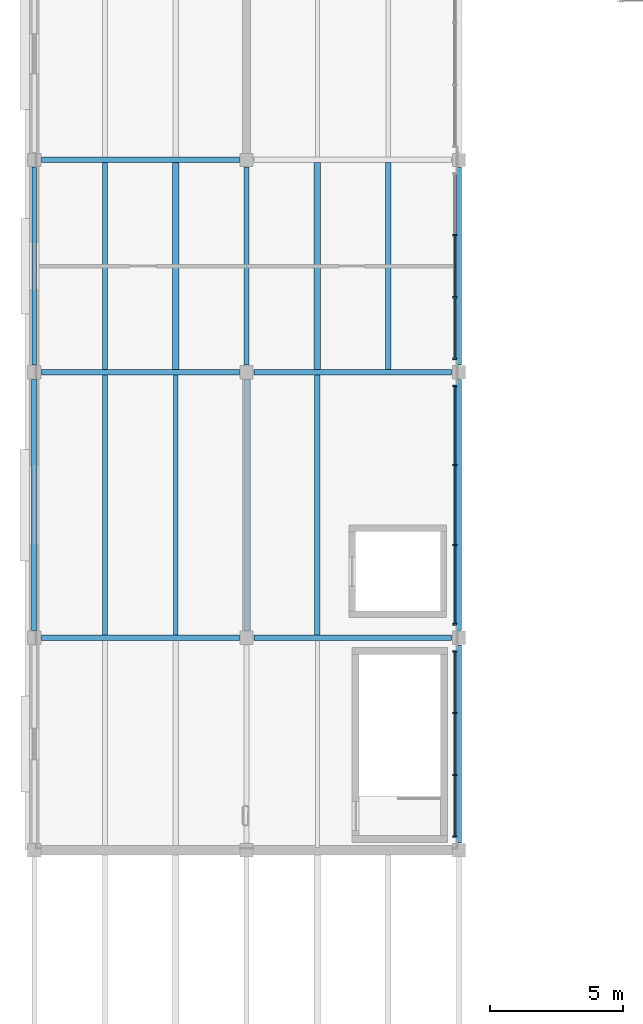
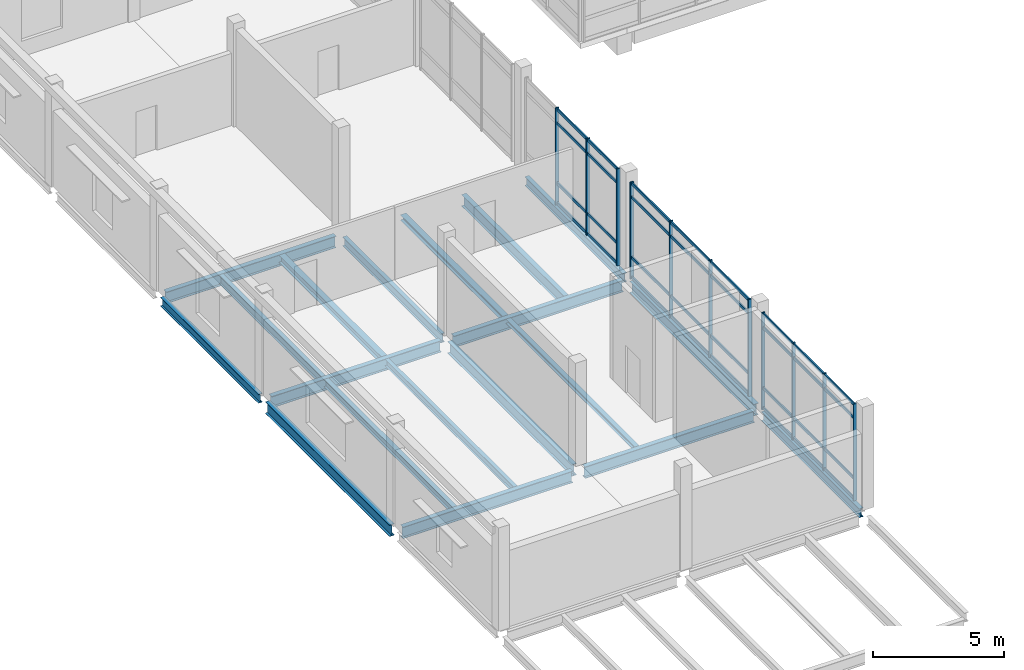
# One storey, part 2 of 28: 43 members, 19 beams, 3 elements without a shape of their own.
"""IFC4 building model written with IfcOpenShell, lengths in metres."""

from ifc_helpers import new_model, si_unit, direction, frame, origin, origin_2d, place, context, subcontext, project, spatial, rectangle, i_section, extrude, material, material_profile, profile_set, type_object, element, aggregate, save


model = new_model("IFC4")

# Units and contexts
model_context = context("Model", 3, precision=1e-05, world=origin(), true_north=direction((0.0, 1.0)))
body_context = subcontext(model_context, "Body", "Model", "MODEL_VIEW")
ifc_project = project(units=[si_unit("LENGTHUNIT", "METRE"), si_unit("AREAUNIT", "SQUARE_METRE"), si_unit("VOLUMEUNIT", "CUBIC_METRE"), si_unit("PLANEANGLEUNIT", "RADIAN"), si_unit("MASSUNIT", "GRAM", prefix="KILO")], contexts=[model_context])

# Site, building, storey
site_placement = place(None, origin())
site = spatial("IfcSite", under=ifc_project, at=site_placement, CompositionType="ELEMENT")
building_placement = place(site_placement, origin())
building = spatial("IfcBuilding", under=site, at=building_placement, Name="Pecanmere Concourse Central Library", CompositionType="ELEMENT")
storey_placement = place(building_placement, frame((0.0, 0.0, 20.10009765625)))
storey = spatial("IfcBuildingStorey", under=building, at=storey_placement, Name="L05", CompositionType="ELEMENT", Elevation=20.10009765625)

# Curtain wall, members
ifc_material_1 = material(Name="Clear anodized aluminium alloy 6063-T6", Category="aluminium")
curtain_wall_type = type_object("IfcCurtainWallType", Name="CW_CLOISTER_GLAZ", PredefinedType="USERDEFINED", material=ifc_material_1)
curtain_wall_1_placement = place(storey_placement, origin())
curtain_wall_1 = element("IfcCurtainWall", 1, at=curtain_wall_1_placement, inside=storey, type_object=curtain_wall_type, Name="Unitised Curtain Wall CW-04 L05-154", ObjectType="UNITISED CURTAIN WALL", PredefinedType="USERDEFINED")
ifc_material_2 = material(Name="Clear anodized aluminium alloy 6063-T6", Category="aluminium")
ifc_material_profile_1 = material_profile(ifc_material_2, rectangle(XDim=0.06005859375, YDim=0.14990234375, at=origin_2d()), Name="AL 60x150")
ifc_profile_set_1 = profile_set([ifc_material_profile_1], Name="Clear anodized aluminium alloy 6063-T6")
member_type_1 = type_object("IfcMemberType", Name="CWM_150x60", PredefinedType="MULLION", material=ifc_profile_set_1)
member_1_placement = place(storey_placement, frame((63.85009765625, 56.510009765625, 0.0), z_axis=(0.0, 0.0, 1.0), x_axis=(0.0, 1.0, 0.0)))
member_1 = element("IfcMember", 2, at=member_1_placement, type_object=member_type_1, Name="CW-04 Mullion 1", PredefinedType="MULLION", context=body_context, shape_type="SweptSolid", body=[
    extrude(rectangle(XDim=0.06005859375, YDim=0.14990234375, at=origin_2d()), origin(), (0.0, 0.0, 1.0), 4.5),
])
member_2_placement = place(storey_placement, frame((63.85009765625, 58.82666015625, 0.0), z_axis=(0.0, 0.0, 1.0), x_axis=(0.0, 1.0, 0.0)))
member_2 = element("IfcMember", 3, at=member_2_placement, type_object=member_type_1, Name="CW-04 Mullion 2", PredefinedType="MULLION", context=body_context, shape_type="SweptSolid", body=[
    extrude(rectangle(XDim=0.06005859375, YDim=0.14990234375, at=origin_2d()), origin(), (0.0, 0.0, 1.0), 4.5),
])
member_3_placement = place(storey_placement, frame((63.85009765625, 61.17333984375, 0.0), z_axis=(0.0, 0.0, 1.0), x_axis=(0.0, 1.0, 0.0)))
member_3 = element("IfcMember", 4, at=member_3_placement, type_object=member_type_1, Name="CW-04 Mullion 3", PredefinedType="MULLION", context=body_context, shape_type="SweptSolid", body=[
    extrude(rectangle(XDim=0.06005859375, YDim=0.14990234375, at=origin_2d()), origin(), (0.0, 0.0, 1.0), 4.5),
])
member_4_placement = place(storey_placement, frame((63.85009765625, 63.489990234375, 0.0), z_axis=(0.0, 0.0, 1.0), x_axis=(0.0, 1.0, 0.0)))
member_4 = element("IfcMember", 5, at=member_4_placement, type_object=member_type_1, Name="CW-04 Mullion 4", PredefinedType="MULLION", context=body_context, shape_type="SweptSolid", body=[
    extrude(rectangle(XDim=0.06005859375, YDim=0.14990234375, at=origin_2d()), origin(), (0.0, 0.0, 1.0), 4.5),
])

curtain_wall_2_placement = place(storey_placement, origin())
curtain_wall_2 = element("IfcCurtainWall", 6, at=curtain_wall_2_placement, inside=storey, type_object=curtain_wall_type, Name="Unitised Curtain Wall CW-04 L05-156", ObjectType="UNITISED CURTAIN WALL", PredefinedType="USERDEFINED")
member_5_placement = place(storey_placement, frame((63.85009765625, 64.510009765625, 0.0), z_axis=(0.0, 0.0, 1.0), x_axis=(0.0, 1.0, 0.0)))
member_5 = element("IfcMember", 7, at=member_5_placement, type_object=member_type_1, Name="CW-04 Mullion 1", PredefinedType="MULLION", context=body_context, shape_type="SweptSolid", body=[
    extrude(rectangle(XDim=0.06005859375, YDim=0.14990234375, at=origin_2d()), origin(), (0.0, 0.0, 1.0), 4.5),
])
member_6_placement = place(storey_placement, frame((63.85009765625, 67.493408203125, 0.0), z_axis=(0.0, 0.0, 1.0), x_axis=(0.0, 1.0, 0.0)))
member_6 = element("IfcMember", 8, at=member_6_placement, type_object=member_type_1, Name="CW-04 Mullion 2", PredefinedType="MULLION", context=body_context, shape_type="SweptSolid", body=[
    extrude(rectangle(XDim=0.06005859375, YDim=0.14990234375, at=origin_2d()), origin(), (0.0, 0.0, 1.0), 4.5),
])
member_7_placement = place(storey_placement, frame((63.85009765625, 70.506591796875, 0.0), z_axis=(0.0, 0.0, 1.0), x_axis=(0.0, 1.0, 0.0)))
member_7 = element("IfcMember", 9, at=member_7_placement, type_object=member_type_1, Name="CW-04 Mullion 3", PredefinedType="MULLION", context=body_context, shape_type="SweptSolid", body=[
    extrude(rectangle(XDim=0.06005859375, YDim=0.14990234375, at=origin_2d()), origin(), (0.0, 0.0, 1.0), 4.5),
])
member_8_placement = place(storey_placement, frame((63.85009765625, 73.489990234375, 0.0), z_axis=(0.0, 0.0, 1.0), x_axis=(0.0, 1.0, 0.0)))
member_8 = element("IfcMember", 10, at=member_8_placement, type_object=member_type_1, Name="CW-04 Mullion 4", PredefinedType="MULLION", context=body_context, shape_type="SweptSolid", body=[
    extrude(rectangle(XDim=0.06005859375, YDim=0.14990234375, at=origin_2d()), origin(), (0.0, 0.0, 1.0), 4.5),
])

curtain_wall_3_placement = place(storey_placement, origin())
curtain_wall_3 = element("IfcCurtainWall", 11, at=curtain_wall_3_placement, inside=storey, type_object=curtain_wall_type, Name="Unitised Curtain Wall CW-04 L05-158", ObjectType="UNITISED CURTAIN WALL", PredefinedType="USERDEFINED")
member_9_placement = place(storey_placement, frame((63.85009765625, 74.510009765625, 0.0), z_axis=(0.0, 0.0, 1.0), x_axis=(0.0, 1.0, 0.0)))
member_9 = element("IfcMember", 12, at=member_9_placement, type_object=member_type_1, Name="CW-04 Mullion 1", PredefinedType="MULLION", context=body_context, shape_type="SweptSolid", body=[
    extrude(rectangle(XDim=0.06005859375, YDim=0.14990234375, at=origin_2d()), origin(), (0.0, 0.0, 1.0), 4.5),
])
member_10_placement = place(storey_placement, frame((63.85009765625, 76.82666015625, 0.0), z_axis=(0.0, 0.0, 1.0), x_axis=(0.0, 1.0, 0.0)))
member_10 = element("IfcMember", 13, at=member_10_placement, type_object=member_type_1, Name="CW-04 Mullion 2", PredefinedType="MULLION", context=body_context, shape_type="SweptSolid", body=[
    extrude(rectangle(XDim=0.06005859375, YDim=0.14990234375, at=origin_2d()), origin(), (0.0, 0.0, 1.0), 4.5),
])
member_11_placement = place(storey_placement, frame((63.85009765625, 79.17333984375, 0.0), z_axis=(0.0, 0.0, 1.0), x_axis=(0.0, 1.0, 0.0)))
member_11 = element("IfcMember", 14, at=member_11_placement, type_object=member_type_1, Name="CW-04 Mullion 3", PredefinedType="MULLION", context=body_context, shape_type="SweptSolid", body=[
    extrude(rectangle(XDim=0.06005859375, YDim=0.14990234375, at=origin_2d()), origin(), (0.0, 0.0, 1.0), 4.5),
])

# Member
ifc_material_3 = material(Name="Clear anodized aluminium alloy 6063-T6", Category="aluminium")
ifc_material_profile_2 = material_profile(ifc_material_3, rectangle(XDim=0.054931640625, YDim=0.139892578125, at=origin_2d()), Name="AL 55x140")
ifc_profile_set_2 = profile_set([ifc_material_profile_2], Name="Clear anodized aluminium alloy 6063-T6")
member_type_2 = type_object("IfcMemberType", Name="CWT_140x55", PredefinedType="USERDEFINED", material=ifc_profile_set_2)
member_12_placement = place(storey_placement, frame((63.85009765625, 56.5400390625, 0.06982421875), z_axis=(0.0, 1.0, 0.0), x_axis=(-1.0, 0.0, 0.0)))
member_12 = element("IfcMember", 15, at=member_12_placement, type_object=member_type_2, Name="CW-04 Transom 1.1", ObjectType="TRANSOM", PredefinedType="USERDEFINED", context=body_context, shape_type="SweptSolid", body=[
    extrude(rectangle(XDim=0.054931640625, YDim=0.139892578125, at=origin_2d()), origin(), (0.0, 0.0, 1.0), 2.256591796875),
])

member_13_placement = place(storey_placement, frame((63.85009765625, 56.5400390625, 1.0), z_axis=(0.0, 1.0, 0.0), x_axis=(-1.0, 0.0, 0.0)))
member_13 = element("IfcMember", 16, at=member_13_placement, type_object=member_type_2, Name="CW-04 Transom 1.2", ObjectType="TRANSOM", PredefinedType="USERDEFINED", context=body_context, shape_type="SweptSolid", body=[
    extrude(rectangle(XDim=0.054931640625, YDim=0.139892578125, at=origin_2d()), origin(), (0.0, 0.0, 1.0), 2.256591796875),
])

member_14_placement = place(storey_placement, frame((63.85009765625, 56.5400390625, 3.7998046875), z_axis=(0.0, 1.0, 0.0), x_axis=(-1.0, 0.0, 0.0)))
member_14 = element("IfcMember", 17, at=member_14_placement, type_object=member_type_2, Name="CW-04 Transom 1.3", ObjectType="TRANSOM", PredefinedType="USERDEFINED", context=body_context, shape_type="SweptSolid", body=[
    extrude(rectangle(XDim=0.054931640625, YDim=0.139892578125, at=origin_2d()), origin(), (0.0, 0.0, 1.0), 2.256591796875),
])

member_15_placement = place(storey_placement, frame((63.85009765625, 56.5400390625, 4.429931640625), z_axis=(0.0, 1.0, 0.0), x_axis=(-1.0, 0.0, 0.0)))
member_15 = element("IfcMember", 18, at=member_15_placement, type_object=member_type_2, Name="CW-04 Transom 1.4", ObjectType="TRANSOM", PredefinedType="USERDEFINED", context=body_context, shape_type="SweptSolid", body=[
    extrude(rectangle(XDim=0.054931640625, YDim=0.139892578125, at=origin_2d()), origin(), (0.0, 0.0, 1.0), 2.256591796875),
])

member_16_placement = place(storey_placement, frame((63.85009765625, 58.856689453125, 0.06982421875), z_axis=(0.0, 1.0, 0.0), x_axis=(-1.0, 0.0, 0.0)))
member_16 = element("IfcMember", 19, at=member_16_placement, type_object=member_type_2, Name="CW-04 Transom 2.1", ObjectType="TRANSOM", PredefinedType="USERDEFINED", context=body_context, shape_type="SweptSolid", body=[
    extrude(rectangle(XDim=0.054931640625, YDim=0.139892578125, at=origin_2d()), origin(), (0.0, 0.0, 1.0), 2.28662109375),
])

member_17_placement = place(storey_placement, frame((63.85009765625, 58.856689453125, 1.0), z_axis=(0.0, 1.0, 0.0), x_axis=(-1.0, 0.0, 0.0)))
member_17 = element("IfcMember", 20, at=member_17_placement, type_object=member_type_2, Name="CW-04 Transom 2.2", ObjectType="TRANSOM", PredefinedType="USERDEFINED", context=body_context, shape_type="SweptSolid", body=[
    extrude(rectangle(XDim=0.054931640625, YDim=0.139892578125, at=origin_2d()), origin(), (0.0, 0.0, 1.0), 2.28662109375),
])

member_18_placement = place(storey_placement, frame((63.85009765625, 58.856689453125, 3.7998046875), z_axis=(0.0, 1.0, 0.0), x_axis=(-1.0, 0.0, 0.0)))
member_18 = element("IfcMember", 21, at=member_18_placement, type_object=member_type_2, Name="CW-04 Transom 2.3", ObjectType="TRANSOM", PredefinedType="USERDEFINED", context=body_context, shape_type="SweptSolid", body=[
    extrude(rectangle(XDim=0.054931640625, YDim=0.139892578125, at=origin_2d()), origin(), (0.0, 0.0, 1.0), 2.28662109375),
])

member_19_placement = place(storey_placement, frame((63.85009765625, 58.856689453125, 4.429931640625), z_axis=(0.0, 1.0, 0.0), x_axis=(-1.0, 0.0, 0.0)))
member_19 = element("IfcMember", 22, at=member_19_placement, type_object=member_type_2, Name="CW-04 Transom 2.4", ObjectType="TRANSOM", PredefinedType="USERDEFINED", context=body_context, shape_type="SweptSolid", body=[
    extrude(rectangle(XDim=0.054931640625, YDim=0.139892578125, at=origin_2d()), origin(), (0.0, 0.0, 1.0), 2.28662109375),
])

member_20_placement = place(storey_placement, frame((63.85009765625, 61.203369140625, 0.06982421875), z_axis=(0.0, 1.0, 0.0), x_axis=(-1.0, 0.0, 0.0)))
member_20 = element("IfcMember", 23, at=member_20_placement, type_object=member_type_2, Name="CW-04 Transom 3.1", ObjectType="TRANSOM", PredefinedType="USERDEFINED", context=body_context, shape_type="SweptSolid", body=[
    extrude(rectangle(XDim=0.054931640625, YDim=0.139892578125, at=origin_2d()), origin(), (0.0, 0.0, 1.0), 2.256591796875),
])

member_21_placement = place(storey_placement, frame((63.85009765625, 61.203369140625, 1.0), z_axis=(0.0, 1.0, 0.0), x_axis=(-1.0, 0.0, 0.0)))
member_21 = element("IfcMember", 24, at=member_21_placement, type_object=member_type_2, Name="CW-04 Transom 3.2", ObjectType="TRANSOM", PredefinedType="USERDEFINED", context=body_context, shape_type="SweptSolid", body=[
    extrude(rectangle(XDim=0.054931640625, YDim=0.139892578125, at=origin_2d()), origin(), (0.0, 0.0, 1.0), 2.256591796875),
])

member_22_placement = place(storey_placement, frame((63.85009765625, 61.203369140625, 3.7998046875), z_axis=(0.0, 1.0, 0.0), x_axis=(-1.0, 0.0, 0.0)))
member_22 = element("IfcMember", 25, at=member_22_placement, type_object=member_type_2, Name="CW-04 Transom 3.3", ObjectType="TRANSOM", PredefinedType="USERDEFINED", context=body_context, shape_type="SweptSolid", body=[
    extrude(rectangle(XDim=0.054931640625, YDim=0.139892578125, at=origin_2d()), origin(), (0.0, 0.0, 1.0), 2.256591796875),
])

member_23_placement = place(storey_placement, frame((63.85009765625, 61.203369140625, 4.429931640625), z_axis=(0.0, 1.0, 0.0), x_axis=(-1.0, 0.0, 0.0)))
member_23 = element("IfcMember", 26, at=member_23_placement, type_object=member_type_2, Name="CW-04 Transom 3.4", ObjectType="TRANSOM", PredefinedType="USERDEFINED", context=body_context, shape_type="SweptSolid", body=[
    extrude(rectangle(XDim=0.054931640625, YDim=0.139892578125, at=origin_2d()), origin(), (0.0, 0.0, 1.0), 2.256591796875),
])

aggregate(curtain_wall_1, [member_1, member_2, member_3, member_4, member_12, member_13, member_14, member_15, member_16, member_17, member_18, member_19, member_20, member_21, member_22, member_23])

member_24_placement = place(storey_placement, frame((63.85009765625, 64.5400390625, 0.06982421875), z_axis=(0.0, 1.0, 0.0), x_axis=(-1.0, 0.0, 0.0)))
member_24 = element("IfcMember", 27, at=member_24_placement, type_object=member_type_2, Name="CW-04 Transom 1.1", ObjectType="TRANSOM", PredefinedType="USERDEFINED", context=body_context, shape_type="SweptSolid", body=[
    extrude(rectangle(XDim=0.054931640625, YDim=0.139892578125, at=origin_2d()), origin(), (0.0, 0.0, 1.0), 2.92333984375),
])

member_25_placement = place(storey_placement, frame((63.85009765625, 64.5400390625, 1.0), z_axis=(0.0, 1.0, 0.0), x_axis=(-1.0, 0.0, 0.0)))
member_25 = element("IfcMember", 28, at=member_25_placement, type_object=member_type_2, Name="CW-04 Transom 1.2", ObjectType="TRANSOM", PredefinedType="USERDEFINED", context=body_context, shape_type="SweptSolid", body=[
    extrude(rectangle(XDim=0.054931640625, YDim=0.139892578125, at=origin_2d()), origin(), (0.0, 0.0, 1.0), 2.92333984375),
])

member_26_placement = place(storey_placement, frame((63.85009765625, 64.5400390625, 3.7998046875), z_axis=(0.0, 1.0, 0.0), x_axis=(-1.0, 0.0, 0.0)))
member_26 = element("IfcMember", 29, at=member_26_placement, type_object=member_type_2, Name="CW-04 Transom 1.3", ObjectType="TRANSOM", PredefinedType="USERDEFINED", context=body_context, shape_type="SweptSolid", body=[
    extrude(rectangle(XDim=0.054931640625, YDim=0.139892578125, at=origin_2d()), origin(), (0.0, 0.0, 1.0), 2.92333984375),
])

member_27_placement = place(storey_placement, frame((63.85009765625, 64.5400390625, 4.429931640625), z_axis=(0.0, 1.0, 0.0), x_axis=(-1.0, 0.0, 0.0)))
member_27 = element("IfcMember", 30, at=member_27_placement, type_object=member_type_2, Name="CW-04 Transom 1.4", ObjectType="TRANSOM", PredefinedType="USERDEFINED", context=body_context, shape_type="SweptSolid", body=[
    extrude(rectangle(XDim=0.054931640625, YDim=0.139892578125, at=origin_2d()), origin(), (0.0, 0.0, 1.0), 2.92333984375),
])

member_28_placement = place(storey_placement, frame((63.85009765625, 67.5234375, 0.06982421875), z_axis=(0.0, 1.0, 0.0), x_axis=(-1.0, 0.0, 0.0)))
member_28 = element("IfcMember", 31, at=member_28_placement, type_object=member_type_2, Name="CW-04 Transom 2.1", ObjectType="TRANSOM", PredefinedType="USERDEFINED", context=body_context, shape_type="SweptSolid", body=[
    extrude(rectangle(XDim=0.054931640625, YDim=0.139892578125, at=origin_2d()), origin(), (0.0, 0.0, 1.0), 2.953125),
])

member_29_placement = place(storey_placement, frame((63.85009765625, 67.5234375, 1.0), z_axis=(0.0, 1.0, 0.0), x_axis=(-1.0, 0.0, 0.0)))
member_29 = element("IfcMember", 32, at=member_29_placement, type_object=member_type_2, Name="CW-04 Transom 2.2", ObjectType="TRANSOM", PredefinedType="USERDEFINED", context=body_context, shape_type="SweptSolid", body=[
    extrude(rectangle(XDim=0.054931640625, YDim=0.139892578125, at=origin_2d()), origin(), (0.0, 0.0, 1.0), 2.953125),
])

member_30_placement = place(storey_placement, frame((63.85009765625, 67.5234375, 3.7998046875), z_axis=(0.0, 1.0, 0.0), x_axis=(-1.0, 0.0, 0.0)))
member_30 = element("IfcMember", 33, at=member_30_placement, type_object=member_type_2, Name="CW-04 Transom 2.3", ObjectType="TRANSOM", PredefinedType="USERDEFINED", context=body_context, shape_type="SweptSolid", body=[
    extrude(rectangle(XDim=0.054931640625, YDim=0.139892578125, at=origin_2d()), origin(), (0.0, 0.0, 1.0), 2.953125),
])

member_31_placement = place(storey_placement, frame((63.85009765625, 67.5234375, 4.429931640625), z_axis=(0.0, 1.0, 0.0), x_axis=(-1.0, 0.0, 0.0)))
member_31 = element("IfcMember", 34, at=member_31_placement, type_object=member_type_2, Name="CW-04 Transom 2.4", ObjectType="TRANSOM", PredefinedType="USERDEFINED", context=body_context, shape_type="SweptSolid", body=[
    extrude(rectangle(XDim=0.054931640625, YDim=0.139892578125, at=origin_2d()), origin(), (0.0, 0.0, 1.0), 2.953125),
])

member_32_placement = place(storey_placement, frame((63.85009765625, 70.53662109375, 0.06982421875), z_axis=(0.0, 1.0, 0.0), x_axis=(-1.0, 0.0, 0.0)))
member_32 = element("IfcMember", 35, at=member_32_placement, type_object=member_type_2, Name="CW-04 Transom 3.1", ObjectType="TRANSOM", PredefinedType="USERDEFINED", context=body_context, shape_type="SweptSolid", body=[
    extrude(rectangle(XDim=0.054931640625, YDim=0.139892578125, at=origin_2d()), origin(), (0.0, 0.0, 1.0), 2.92333984375),
])

member_33_placement = place(storey_placement, frame((63.85009765625, 70.53662109375, 1.0), z_axis=(0.0, 1.0, 0.0), x_axis=(-1.0, 0.0, 0.0)))
member_33 = element("IfcMember", 36, at=member_33_placement, type_object=member_type_2, Name="CW-04 Transom 3.2", ObjectType="TRANSOM", PredefinedType="USERDEFINED", context=body_context, shape_type="SweptSolid", body=[
    extrude(rectangle(XDim=0.054931640625, YDim=0.139892578125, at=origin_2d()), origin(), (0.0, 0.0, 1.0), 2.92333984375),
])

member_34_placement = place(storey_placement, frame((63.85009765625, 70.53662109375, 3.7998046875), z_axis=(0.0, 1.0, 0.0), x_axis=(-1.0, 0.0, 0.0)))
member_34 = element("IfcMember", 37, at=member_34_placement, type_object=member_type_2, Name="CW-04 Transom 3.3", ObjectType="TRANSOM", PredefinedType="USERDEFINED", context=body_context, shape_type="SweptSolid", body=[
    extrude(rectangle(XDim=0.054931640625, YDim=0.139892578125, at=origin_2d()), origin(), (0.0, 0.0, 1.0), 2.92333984375),
])

member_35_placement = place(storey_placement, frame((63.85009765625, 70.53662109375, 4.429931640625), z_axis=(0.0, 1.0, 0.0), x_axis=(-1.0, 0.0, 0.0)))
member_35 = element("IfcMember", 38, at=member_35_placement, type_object=member_type_2, Name="CW-04 Transom 3.4", ObjectType="TRANSOM", PredefinedType="USERDEFINED", context=body_context, shape_type="SweptSolid", body=[
    extrude(rectangle(XDim=0.054931640625, YDim=0.139892578125, at=origin_2d()), origin(), (0.0, 0.0, 1.0), 2.92333984375),
])

aggregate(curtain_wall_2, [member_5, member_6, member_7, member_8, member_24, member_25, member_26, member_27, member_28, member_29, member_30, member_31, member_32, member_33, member_34, member_35])

member_36_placement = place(storey_placement, frame((63.85009765625, 74.5400390625, 0.06982421875), z_axis=(0.0, 1.0, 0.0), x_axis=(-1.0, 0.0, 0.0)))
member_36 = element("IfcMember", 39, at=member_36_placement, type_object=member_type_2, Name="CW-04 Transom 1.1", ObjectType="TRANSOM", PredefinedType="USERDEFINED", context=body_context, shape_type="SweptSolid", body=[
    extrude(rectangle(XDim=0.054931640625, YDim=0.139892578125, at=origin_2d()), origin(), (0.0, 0.0, 1.0), 2.256591796875),
])

member_37_placement = place(storey_placement, frame((63.85009765625, 74.5400390625, 1.0), z_axis=(0.0, 1.0, 0.0), x_axis=(-1.0, 0.0, 0.0)))
member_37 = element("IfcMember", 40, at=member_37_placement, type_object=member_type_2, Name="CW-04 Transom 1.2", ObjectType="TRANSOM", PredefinedType="USERDEFINED", context=body_context, shape_type="SweptSolid", body=[
    extrude(rectangle(XDim=0.054931640625, YDim=0.139892578125, at=origin_2d()), origin(), (0.0, 0.0, 1.0), 2.256591796875),
])

member_38_placement = place(storey_placement, frame((63.85009765625, 74.5400390625, 3.7998046875), z_axis=(0.0, 1.0, 0.0), x_axis=(-1.0, 0.0, 0.0)))
member_38 = element("IfcMember", 41, at=member_38_placement, type_object=member_type_2, Name="CW-04 Transom 1.3", ObjectType="TRANSOM", PredefinedType="USERDEFINED", context=body_context, shape_type="SweptSolid", body=[
    extrude(rectangle(XDim=0.054931640625, YDim=0.139892578125, at=origin_2d()), origin(), (0.0, 0.0, 1.0), 2.256591796875),
])

member_39_placement = place(storey_placement, frame((63.85009765625, 74.5400390625, 4.429931640625), z_axis=(0.0, 1.0, 0.0), x_axis=(-1.0, 0.0, 0.0)))
member_39 = element("IfcMember", 42, at=member_39_placement, type_object=member_type_2, Name="CW-04 Transom 1.4", ObjectType="TRANSOM", PredefinedType="USERDEFINED", context=body_context, shape_type="SweptSolid", body=[
    extrude(rectangle(XDim=0.054931640625, YDim=0.139892578125, at=origin_2d()), origin(), (0.0, 0.0, 1.0), 2.256591796875),
])

member_40_placement = place(storey_placement, frame((63.85009765625, 76.856689453125, 0.06982421875), z_axis=(0.0, 1.0, 0.0), x_axis=(-1.0, 0.0, 0.0)))
member_40 = element("IfcMember", 43, at=member_40_placement, type_object=member_type_2, Name="CW-04 Transom 2.1", ObjectType="TRANSOM", PredefinedType="USERDEFINED", context=body_context, shape_type="SweptSolid", body=[
    extrude(rectangle(XDim=0.054931640625, YDim=0.139892578125, at=origin_2d()), origin(), (0.0, 0.0, 1.0), 2.28662109375),
])

member_41_placement = place(storey_placement, frame((63.85009765625, 76.856689453125, 1.0), z_axis=(0.0, 1.0, 0.0), x_axis=(-1.0, 0.0, 0.0)))
member_41 = element("IfcMember", 44, at=member_41_placement, type_object=member_type_2, Name="CW-04 Transom 2.2", ObjectType="TRANSOM", PredefinedType="USERDEFINED", context=body_context, shape_type="SweptSolid", body=[
    extrude(rectangle(XDim=0.054931640625, YDim=0.139892578125, at=origin_2d()), origin(), (0.0, 0.0, 1.0), 2.28662109375),
])

member_42_placement = place(storey_placement, frame((63.85009765625, 76.856689453125, 3.7998046875), z_axis=(0.0, 1.0, 0.0), x_axis=(-1.0, 0.0, 0.0)))
member_42 = element("IfcMember", 45, at=member_42_placement, type_object=member_type_2, Name="CW-04 Transom 2.3", ObjectType="TRANSOM", PredefinedType="USERDEFINED", context=body_context, shape_type="SweptSolid", body=[
    extrude(rectangle(XDim=0.054931640625, YDim=0.139892578125, at=origin_2d()), origin(), (0.0, 0.0, 1.0), 2.28662109375),
])

member_43_placement = place(storey_placement, frame((63.85009765625, 76.856689453125, 4.429931640625), z_axis=(0.0, 1.0, 0.0), x_axis=(-1.0, 0.0, 0.0)))
member_43 = element("IfcMember", 46, at=member_43_placement, type_object=member_type_2, Name="CW-04 Transom 2.4", ObjectType="TRANSOM", PredefinedType="USERDEFINED", context=body_context, shape_type="SweptSolid", body=[
    extrude(rectangle(XDim=0.054931640625, YDim=0.139892578125, at=origin_2d()), origin(), (0.0, 0.0, 1.0), 2.28662109375),
])

aggregate(curtain_wall_3, [member_9, member_10, member_11, member_36, member_37, member_38, member_39, member_40, member_41, member_42, member_43])

# Beams
ifc_material_4 = material(Name="Structural steel ASTM A992 Grade 50", Category="steel")
ifc_material_profile_3 = material_profile(ifc_material_4, i_section(OverallWidth=0.2041015625, OverallDepth=0.2060546875, WebThickness=0.0078125, FlangeThickness=0.0126953125, at=origin_2d()), Name="W200x52")
ifc_profile_set_3 = profile_set([ifc_material_profile_3], Name="Structural steel ASTM A992 Grade 50")
beam_type_1 = type_object("IfcBeamType", Name="SBM_W200x52", PredefinedType="JOIST", material=ifc_profile_set_3)
beam_1_placement = place(storey_placement, frame((58.666748046875, 64.10546875, -0.383056640625), z_axis=(0.0, 1.0, 0.0), x_axis=(-1.0, 0.0, 0.0)))
element("IfcBeam", 47, at=beam_1_placement, inside=storey, type_object=beam_type_1, Name="Secondary Floor Joist L05-2571", PredefinedType="JOIST", context=body_context, shape_type="SweptSolid", body=[
    extrude(i_section(OverallWidth=0.2041015625, OverallDepth=0.2060546875, WebThickness=0.0078125, FlangeThickness=0.0126953125, at=origin_2d()), origin(), (0.0, 0.0, 1.0), 9.7890625),
])
ifc_material_5 = material(Name="Structural steel ASTM A992 Grade 50", Category="steel")
ifc_material_profile_4 = material_profile(ifc_material_5, i_section(OverallWidth=0.25390625, OverallDepth=0.2529296875, WebThickness=0.008544921875, FlangeThickness=0.01416015625, at=origin_2d()), Name="W250x73")
ifc_profile_set_4 = profile_set([ifc_material_profile_4], Name="Structural steel ASTM A992 Grade 50")
beam_type_2 = type_object("IfcBeamType", Name="SBM_W250x73", PredefinedType="BEAM", material=ifc_profile_set_4)
beam_2_placement = place(storey_placement, frame((58.666748046875, 74.10546875, -0.406494140625), z_axis=(0.0, 1.0, 0.0), x_axis=(-1.0, 0.0, 0.0)))
element("IfcBeam", 48, at=beam_2_placement, inside=storey, type_object=beam_type_2, Name="Secondary Floor Joist L05-2572", PredefinedType="BEAM", context=body_context, shape_type="SweptSolid", body=[
    extrude(i_section(OverallWidth=0.25390625, OverallDepth=0.2529296875, WebThickness=0.008544921875, FlangeThickness=0.01416015625, at=origin_2d()), origin(), (0.0, 0.0, 1.0), 7.7890625),
])
ifc_material_6 = material(Name="Structural steel ASTM A992 Grade 50", Category="steel")
ifc_material_profile_5 = material_profile(ifc_material_6, i_section(OverallWidth=0.1669921875, OverallDepth=0.31689453125, WebThickness=0.007568359375, FlangeThickness=0.01318359375, at=origin_2d()), Name="W310x52")
ifc_profile_set_5 = profile_set([ifc_material_profile_5], Name="Structural steel ASTM A992 Grade 50")
beam_type_3 = type_object("IfcBeamType", Name="SBM_W310x52", PredefinedType="JOIST", material=ifc_profile_set_5)
beam_3_placement = place(storey_placement, frame((53.333251953125, 64.10546875, -0.4384765625), z_axis=(0.0, 1.0, 0.0), x_axis=(-1.0, 0.0, 0.0)))
element("IfcBeam", 49, at=beam_3_placement, inside=storey, type_object=beam_type_3, Name="Secondary Floor Joist L05-2559", PredefinedType="JOIST", context=body_context, shape_type="SweptSolid", body=[
    extrude(i_section(OverallWidth=0.1669921875, OverallDepth=0.31689453125, WebThickness=0.007568359375, FlangeThickness=0.01318359375, at=origin_2d()), origin(), (0.0, 0.0, 1.0), 9.7890625),
])
ifc_material_7 = material(Name="Structural steel ASTM A992 Grade 50", Category="steel")
ifc_material_profile_6 = material_profile(ifc_material_7, i_section(OverallWidth=0.202880859375, OverallDepth=0.346923828125, WebThickness=0.0078125, FlangeThickness=0.013427734375, at=origin_2d()), Name="W360x64")
ifc_profile_set_6 = profile_set([ifc_material_profile_6], Name="Structural steel ASTM A992 Grade 50")
beam_type_4 = type_object("IfcBeamType", Name="SBM_W360x64", PredefinedType="JOIST", material=ifc_profile_set_6)
beam_4_placement = place(storey_placement, frame((50.666748046875, 64.10546875, -0.45361328125), z_axis=(0.0, 1.0, 0.0), x_axis=(-1.0, 0.0, 0.0)))
element("IfcBeam", 50, at=beam_4_placement, inside=storey, type_object=beam_type_4, Name="Secondary Floor Joist L05-2558", PredefinedType="JOIST", context=body_context, shape_type="SweptSolid", body=[
    extrude(i_section(OverallWidth=0.202880859375, OverallDepth=0.346923828125, WebThickness=0.0078125, FlangeThickness=0.013427734375, at=origin_2d()), origin(), (0.0, 0.0, 1.0), 9.7890625),
])
ifc_material_8 = material(Name="Structural steel ASTM A992 Grade 50", Category="steel")
ifc_material_profile_7 = material_profile(ifc_material_8, i_section(OverallWidth=0.25390625, OverallDepth=0.35302734375, WebThickness=0.009521484375, FlangeThickness=0.016357421875, at=origin_2d()), Name="W360x91")
ifc_profile_set_7 = profile_set([ifc_material_profile_7], Name="Structural steel ASTM A992 Grade 50")
beam_type_5 = type_object("IfcBeamType", Name="SBM_W360x91", PredefinedType="BEAM", material=ifc_profile_set_7)
beam_5_placement = place(storey_placement, frame((53.333251953125, 74.10546875, -0.45654296875), z_axis=(0.0, 1.0, 0.0), x_axis=(-1.0, 0.0, 0.0)))
element("IfcBeam", 51, at=beam_5_placement, inside=storey, type_object=beam_type_5, Name="Secondary Floor Joist L05-2561", PredefinedType="BEAM", context=body_context, shape_type="SweptSolid", body=[
    extrude(i_section(OverallWidth=0.25390625, OverallDepth=0.35302734375, WebThickness=0.009521484375, FlangeThickness=0.016357421875, at=origin_2d()), origin(), (0.0, 0.0, 1.0), 7.7890625),
])
ifc_material_9 = material(Name="Structural steel ASTM A992 Grade 50", Category="steel")
ifc_material_profile_8 = material_profile(ifc_material_9, i_section(OverallWidth=0.180908203125, OverallDepth=0.4169921875, WebThickness=0.010986328125, FlangeThickness=0.018310546875, at=origin_2d()), Name="W410x85")
ifc_profile_set_8 = profile_set([ifc_material_profile_8], Name="Structural steel ASTM A992 Grade 50")
beam_type_6 = type_object("IfcBeamType", Name="SBM_W410x85", PredefinedType="BEAM", material=ifc_profile_set_8)
for number, where, z_axis, x_axis, name in (
    (52, (48.0, 74.27490234375, -0.488525390625), (0.0, 1.0, 0.0), (-1.0, 0.0, 0.0), "Primary Girder Y L05-2487"),
    (53, (56.0, 74.27490234375, -0.488525390625), (0.0, 1.0, 0.0), (-1.0, 0.0, 0.0), "Primary Girder Y L05-2494"),
    (54, (64.0, 56.27490234375, -0.488525390625), (0.0, 1.0, 0.0), (-1.0, 0.0, 0.0), "Primary Girder Y L05-2499"),
    (55, (64.0, 74.27490234375, -0.488525390625), (0.0, 1.0, 0.0), (-1.0, 0.0, 0.0), "Primary Girder Y L05-2501"),
):
    element("IfcBeam", number, at=place(storey_placement, frame(where, z_axis=z_axis, x_axis=x_axis)), inside=storey, type_object=beam_type_6, Name=name, PredefinedType="BEAM", context=body_context, shape_type="SweptSolid", body=[
        extrude(i_section(OverallWidth=0.180908203125, OverallDepth=0.4169921875, WebThickness=0.010986328125, FlangeThickness=0.018310546875, at=origin_2d()), origin(), (0.0, 0.0, 1.0), 7.4501953125),
    ])
beam_6_placement = place(storey_placement, frame((50.666748046875, 74.10546875, -0.488525390625), z_axis=(0.0, 1.0, 0.0), x_axis=(-1.0, 0.0, 0.0)))
element("IfcBeam", 56, at=beam_6_placement, inside=storey, type_object=beam_type_6, Name="Secondary Floor Joist L05-2560", PredefinedType="BEAM", context=body_context, shape_type="SweptSolid", body=[
    extrude(i_section(OverallWidth=0.180908203125, OverallDepth=0.4169921875, WebThickness=0.010986328125, FlangeThickness=0.018310546875, at=origin_2d()), origin(), (0.0, 0.0, 1.0), 7.7890625),
])
ifc_material_10 = material(Name="Structural steel ASTM A992 Grade 50", Category="steel")
ifc_material_profile_9 = material_profile(ifc_material_10, i_section(OverallWidth=0.2109375, OverallDepth=0.5390625, WebThickness=0.01171875, FlangeThickness=0.018798828125, at=origin_2d()), Name="W530x109")
ifc_profile_set_9 = profile_set([ifc_material_profile_9], Name="Structural steel ASTM A992 Grade 50")
beam_type_7 = type_object("IfcBeamType", Name="SBM_W530x109", PredefinedType="USERDEFINED", material=ifc_profile_set_9)
for number, where, z_axis, x_axis, name in (
    (57, (48.27490234375, 64.0, -0.549560546875), (1.0, 0.0, 0.0), (0.0, 1.0, 0.0), "Primary Girder X L05-2442"),
    (58, (56.27490234375, 64.0, -0.549560546875), (1.0, 0.0, 0.0), (0.0, 1.0, 0.0), "Primary Girder X L05-2443"),
    (59, (48.27490234375, 74.0, -0.549560546875), (1.0, 0.0, 0.0), (0.0, 1.0, 0.0), "Primary Girder X L05-2446"),
    (60, (56.27490234375, 74.0, -0.549560546875), (1.0, 0.0, 0.0), (0.0, 1.0, 0.0), "Primary Girder X L05-2447"),
    (61, (48.27490234375, 82.0, -0.549560546875), (1.0, 0.0, 0.0), (0.0, 1.0, 0.0), "Primary Girder X L05-2450"),
):
    element("IfcBeam", number, at=place(storey_placement, frame(where, z_axis=z_axis, x_axis=x_axis)), inside=storey, type_object=beam_type_7, Name=name, ObjectType="GIRDER", PredefinedType="USERDEFINED", context=body_context, shape_type="SweptSolid", body=[
        extrude(i_section(OverallWidth=0.2109375, OverallDepth=0.5390625, WebThickness=0.01171875, FlangeThickness=0.018798828125, at=origin_2d()), origin(), (0.0, 0.0, 1.0), 7.4501953125),
    ])
for number, where, z_axis, x_axis, name in (
    (62, (48.0, 64.27490234375, -0.549560546875), (0.0, 1.0, 0.0), (-1.0, 0.0, 0.0), "Primary Girder Y L05-2486"),
    (63, (56.0, 64.27490234375, -0.549560546875), (0.0, 1.0, 0.0), (-1.0, 0.0, 0.0), "Primary Girder Y L05-2493"),
    (64, (64.0, 64.27490234375, -0.549560546875), (0.0, 1.0, 0.0), (-1.0, 0.0, 0.0), "Primary Girder Y L05-2500"),
):
    element("IfcBeam", number, at=place(storey_placement, frame(where, z_axis=z_axis, x_axis=x_axis)), inside=storey, type_object=beam_type_7, Name=name, ObjectType="GIRDER", PredefinedType="USERDEFINED", context=body_context, shape_type="SweptSolid", body=[
        extrude(i_section(OverallWidth=0.2109375, OverallDepth=0.5390625, WebThickness=0.01171875, FlangeThickness=0.018798828125, at=origin_2d()), origin(), (0.0, 0.0, 1.0), 9.4501953125),
    ])
ifc_material_11 = material(Name="Structural steel ASTM A992 Grade 50", Category="steel")
ifc_material_profile_10 = material_profile(ifc_material_11, i_section(OverallWidth=0.208984375, OverallDepth=0.532958984375, WebThickness=0.01025390625, FlangeThickness=0.015625, at=origin_2d()), Name="W530x92")
ifc_profile_set_10 = profile_set([ifc_material_profile_10], Name="Structural steel ASTM A992 Grade 50")
beam_type_8 = type_object("IfcBeamType", Name="SBM_W530x92", PredefinedType="BEAM", material=ifc_profile_set_10)
beam_7_placement = place(storey_placement, frame((61.333251953125, 74.10546875, -0.546630859375), z_axis=(0.0, 1.0, 0.0), x_axis=(-1.0, 0.0, 0.0)))
element("IfcBeam", 65, at=beam_7_placement, inside=storey, type_object=beam_type_8, Name="Secondary Floor Joist L05-2573", PredefinedType="BEAM", context=body_context, shape_type="SweptSolid", body=[
    extrude(i_section(OverallWidth=0.208984375, OverallDepth=0.532958984375, WebThickness=0.01025390625, FlangeThickness=0.015625, at=origin_2d()), origin(), (0.0, 0.0, 1.0), 7.7890625),
])

save(model, "model.ifc")
